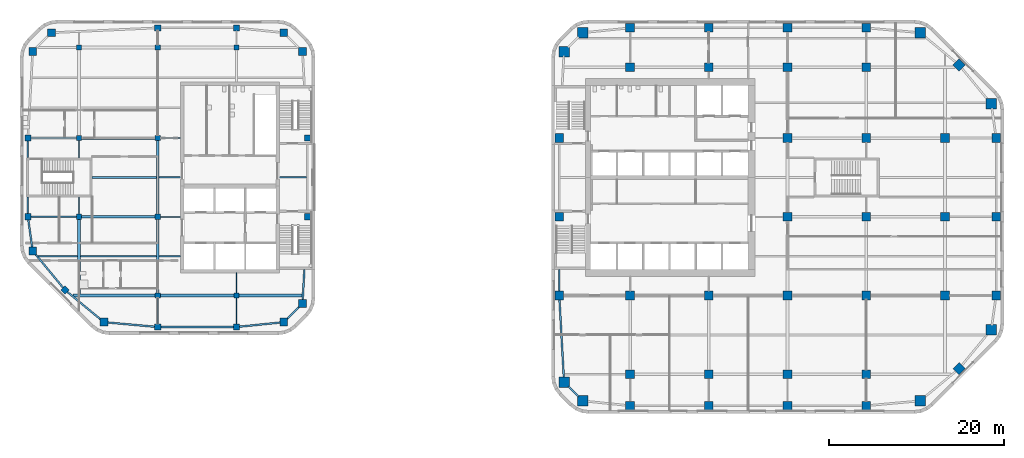
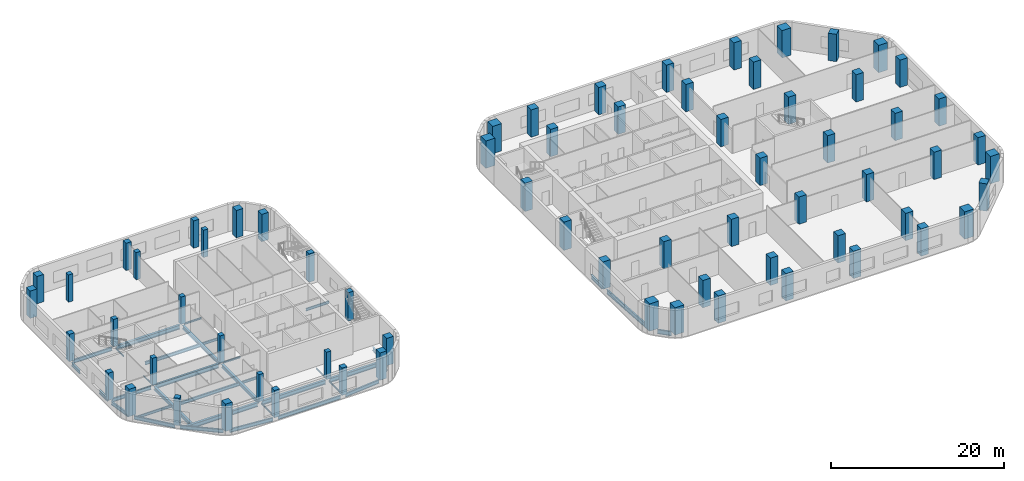
# One storey, part 1 of 14: 69 columns, 36 beams.
"""IFC4 building model written with IfcOpenShell, lengths in metres."""

from ifc_helpers import new_model, si_unit, direction, frame, origin, origin_2d, place, context, subcontext, project, spatial, rectangle, i_section, extrude, material, material_profile, profile_set, type_object, element, save


model = new_model("IFC4")

# Units and contexts
model_context = context("Model", 3, precision=1e-05, world=origin(), true_north=direction((0.0, 1.0)))
body_context = subcontext(model_context, "Body", "Model", "MODEL_VIEW")
ifc_project = project(units=[si_unit("LENGTHUNIT", "METRE"), si_unit("AREAUNIT", "SQUARE_METRE"), si_unit("VOLUMEUNIT", "CUBIC_METRE"), si_unit("PLANEANGLEUNIT", "RADIAN"), si_unit("MASSUNIT", "GRAM", prefix="KILO")], contexts=[model_context])

# Site, building, storey
site_placement = place(None, origin())
site = spatial("IfcSite", under=ifc_project, at=site_placement, CompositionType="ELEMENT")
building_placement = place(site_placement, origin())
building = spatial("IfcBuilding", under=site, at=building_placement, Name="Cinnabar Reach Civic Tower", CompositionType="ELEMENT")
storey_placement = place(building_placement, frame((0.0, 0.0, 128.0)))
storey = spatial("IfcBuildingStorey", under=building, at=storey_placement, Name="L30", CompositionType="ELEMENT", Elevation=128.0)

# Columns
ifc_material_1 = material(Name="Concrete C70", Category="concrete")
ifc_material_profile_1 = material_profile(ifc_material_1, rectangle(XDim=1.0, YDim=1.0, at=origin_2d()), Name="RC1000")
ifc_profile_set_1 = profile_set([ifc_material_profile_1], Name="Concrete C70")
column_type_1 = type_object("IfcColumnType", Name="RC1000 column R 240", PredefinedType="COLUMN", material=ifc_profile_set_1)
for number, where, z_axis, x_axis, name in (
    (1, (9.0, 5.4, 0.0), (0.0, 0.0, 1.0), (1.0, 0.0, 0.0), "Column T1-Z2-F0-1"),
    (2, (18.0, 5.4, 0.0), (0.0, 0.0, 1.0), (1.0, 0.0, 0.0), "Column T1-Z2-F0-2"),
    (3, (27.0, 5.4, 0.0), (0.0, 0.0, 1.0), (1.0, 0.0, 0.0), "Column T1-Z2-F0-3"),
    (4, (36.0, 5.4, 0.0), (0.0, 0.0, 1.0), (1.0, 0.0, 0.0), "Column T1-Z2-F0-4"),
    (5, (46.6136, 9.6364, 0.0), (0.0, 0.0, 1.0), (0.707106781187, 0.707106781187, 0.0), "Column T1-Z2-F1-M"),
    (6, (50.85, 18.0, 0.0), (0.0, 0.0, 1.0), (1.0, 0.0, 0.0), "Column T1-Z2-F2-2"),
    (7, (50.85, 27.0, 0.0), (0.0, 0.0, 1.0), (1.0, 0.0, 0.0), "Column T1-Z2-F2-3"),
    (8, (50.85, 36.0, 0.0), (0.0, 0.0, 1.0), (1.0, 0.0, 0.0), "Column T1-Z2-F2-4"),
    (9, (46.6136, 44.3636, 0.0), (0.0, 0.0, 1.0), (0.707106781187, 0.707106781187, 0.0), "Column T1-Z2-F3-M"),
    (10, (9.0, 48.6, 0.0), (0.0, 0.0, 1.0), (1.0, 0.0, 0.0), "Column T1-Z2-F4-1"),
    (11, (18.0, 48.6, 0.0), (0.0, 0.0, 1.0), (1.0, 0.0, 0.0), "Column T1-Z2-F4-2"),
    (12, (27.0, 48.6, 0.0), (0.0, 0.0, 1.0), (1.0, 0.0, 0.0), "Column T1-Z2-F4-3"),
    (13, (36.0, 48.6, 0.0), (0.0, 0.0, 1.0), (1.0, 0.0, 0.0), "Column T1-Z2-F4-4"),
    (14, (0.9, 18.0, 0.0), (0.0, 0.0, 1.0), (1.0, 0.0, 0.0), "Column T1-Z2-F6-2"),
):
    element("IfcColumn", number, at=place(storey_placement, frame(where, z_axis=z_axis, x_axis=x_axis)), inside=storey, type_object=column_type_1, Name=name, PredefinedType="COLUMN", context=body_context, shape_type="SweptSolid", body=[
        extrude(rectangle(XDim=1.0, YDim=1.0, at=origin_2d()), origin(), (0.0, 0.0, 1.0), 3.85),
    ])
for number, where, z_axis, x_axis, name in (
    (15, (0.9, 27.0, 0.0), (0.0, 0.0, 1.0), (1.0, 0.0, 0.0), "Column T1-Z2-F6-3"),
    (16, (0.9, 36.0, 0.0), (0.0, 0.0, 1.0), (1.0, 0.0, 0.0), "Column T1-Z2-F6-4"),
):
    element("IfcColumn", number, at=place(storey_placement, frame(where, z_axis=z_axis, x_axis=x_axis)), inside=storey, type_object=column_type_1, Name=name, PredefinedType="COLUMN", context=body_context, shape_type="SweptSolid", body=[
        extrude(rectangle(XDim=1.0, YDim=1.0, at=origin_2d()), origin(), (0.0, 0.0, 1.0), 4.0),
    ])
for number, where, z_axis, x_axis, name in (
    (17, (9.0, 9.0, 0.0), (0.0, 0.0, 1.0), (1.0, 0.0, 0.0), "Column T1-Z2-I9_9"),
    (18, (9.0, 18.0, 0.0), (0.0, 0.0, 1.0), (1.0, 0.0, 0.0), "Column T1-Z2-I9_18"),
    (19, (9.0, 44.1, 0.0), (0.0, 0.0, 1.0), (1.0, 0.0, 0.0), "Column T1-Z2-I9_45"),
    (20, (18.0, 9.0, 0.0), (0.0, 0.0, 1.0), (1.0, 0.0, 0.0), "Column T1-Z2-I18_9"),
    (21, (18.0, 18.0, 0.0), (0.0, 0.0, 1.0), (1.0, 0.0, 0.0), "Column T1-Z2-I18_18"),
    (22, (18.0, 44.1, 0.0), (0.0, 0.0, 1.0), (1.0, 0.0, 0.0), "Column T1-Z2-I18_45"),
    (23, (27.0, 9.0, 0.0), (0.0, 0.0, 1.0), (1.0, 0.0, 0.0), "Column T1-Z2-I27_9"),
    (24, (27.0, 18.0, 0.0), (0.0, 0.0, 1.0), (1.0, 0.0, 0.0), "Column T1-Z2-I27_18"),
    (25, (27.0, 27.0, 0.0), (0.0, 0.0, 1.0), (1.0, 0.0, 0.0), "Column T1-Z2-I27_27"),
    (26, (27.0, 36.0, 0.0), (0.0, 0.0, 1.0), (1.0, 0.0, 0.0), "Column T1-Z2-I27_36"),
    (27, (27.0, 44.1, 0.0), (0.0, 0.0, 1.0), (1.0, 0.0, 0.0), "Column T1-Z2-I27_45"),
    (28, (36.0, 9.0, 0.0), (0.0, 0.0, 1.0), (1.0, 0.0, 0.0), "Column T1-Z2-I36_9"),
    (29, (36.0, 18.0, 0.0), (0.0, 0.0, 1.0), (1.0, 0.0, 0.0), "Column T1-Z2-I36_18"),
    (30, (36.0, 27.0, 0.0), (0.0, 0.0, 1.0), (1.0, 0.0, 0.0), "Column T1-Z2-I36_27"),
    (31, (36.0, 36.0, 0.0), (0.0, 0.0, 1.0), (1.0, 0.0, 0.0), "Column T1-Z2-I36_36"),
    (32, (36.0, 44.1, 0.0), (0.0, 0.0, 1.0), (1.0, 0.0, 0.0), "Column T1-Z2-I36_45"),
    (33, (45.0, 18.0, 0.0), (0.0, 0.0, 1.0), (1.0, 0.0, 0.0), "Column T1-Z2-I45_18"),
    (34, (45.0, 27.0, 0.0), (0.0, 0.0, 1.0), (1.0, 0.0, 0.0), "Column T1-Z2-I45_27"),
    (35, (45.0, 36.0, 0.0), (0.0, 0.0, 1.0), (1.0, 0.0, 0.0), "Column T1-Z2-I45_36"),
):
    element("IfcColumn", number, at=place(storey_placement, frame(where, z_axis=z_axis, x_axis=x_axis)), inside=storey, type_object=column_type_1, Name=name, PredefinedType="COLUMN", context=body_context, shape_type="SweptSolid", body=[
        extrude(rectangle(XDim=1.0, YDim=1.0, at=origin_2d()), origin(), (0.0, 0.0, 1.0), 3.85),
    ])
ifc_material_2 = material(Name="Concrete C80", Category="concrete")
ifc_material_profile_2 = material_profile(ifc_material_2, rectangle(XDim=1.2, YDim=1.2, at=origin_2d()), Name="RC1200")
ifc_profile_set_2 = profile_set([ifc_material_profile_2], Name="Concrete C80")
column_type_2 = type_object("IfcColumnType", Name="RC1200 column R 240", PredefinedType="COLUMN", material=ifc_profile_set_2)
for number, where, z_axis, x_axis, name in (
    (36, (3.6019, 5.9531, 0.0), (0.0, 0.0, 1.0), (1.0, 0.0, 0.0), "Column T1-Z2-CC0"),
    (37, (42.1481, 5.9531, 0.0), (0.0, 0.0, 1.0), (1.0, 0.0, 0.0), "Column T1-Z2-CC1"),
    (38, (50.2969, 14.1019, 0.0), (0.0, 0.0, 1.0), (1.0, 0.0, 0.0), "Column T1-Z2-CC2"),
    (39, (50.2969, 39.8981, 0.0), (0.0, 0.0, 1.0), (1.0, 0.0, 0.0), "Column T1-Z2-CC3"),
    (40, (42.1481, 48.0469, 0.0), (0.0, 0.0, 1.0), (1.0, 0.0, 0.0), "Column T1-Z2-CC4"),
    (41, (3.6019, 48.0469, 0.0), (0.0, 0.0, 1.0), (1.0, 0.0, 0.0), "Column T1-Z2-CC5"),
    (42, (1.4531, 45.8981, 0.0), (0.0, 0.0, 1.0), (1.0, 0.0, 0.0), "Column T1-Z2-CC6"),
    (43, (1.4531, 8.1019, 0.0), (0.0, 0.0, 1.0), (1.0, 0.0, 0.0), "Column T1-Z2-CC7"),
):
    element("IfcColumn", number, at=place(storey_placement, frame(where, z_axis=z_axis, x_axis=x_axis)), inside=storey, type_object=column_type_2, Name=name, PredefinedType="COLUMN", context=body_context, shape_type="SweptSolid", body=[
        extrude(rectangle(XDim=1.2, YDim=1.2, at=origin_2d()), origin(), (0.0, 0.0, 1.0), 3.85),
    ])
ifc_material_3 = material(Name="Concrete C60", Category="concrete")
ifc_material_profile_3 = material_profile(ifc_material_3, rectangle(XDim=0.6, YDim=0.6, at=origin_2d()), Name="RC600")
ifc_profile_set_3 = profile_set([ifc_material_profile_3], Name="Concrete C60")
column_type_3 = type_object("IfcColumnType", Name="RC600 column R 180", PredefinedType="COLUMN", material=ifc_profile_set_3)
for number, where, z_axis, x_axis, name in (
    (44, (-54.0, 27.0, 0.0), (0.0, 0.0, 1.0), (1.0, 0.0, 0.0), "Column T2-Z3-I-54_27"),
    (45, (-54.0, 36.0, 0.0), (0.0, 0.0, 1.0), (1.0, 0.0, 0.0), "Column T2-Z3-I-54_36"),
    (46, (-54.0, 46.35, 0.0), (0.0, 0.0, 1.0), (1.0, 0.0, 0.0), "Column T2-Z3-I-54_45"),
    (47, (-45.0, 18.0, 0.0), (0.0, 0.0, 1.0), (1.0, 0.0, 0.0), "Column T2-Z3-I-45_18"),
    (48, (-45.0, 27.0, 0.0), (0.0, 0.0, 1.0), (1.0, 0.0, 0.0), "Column T2-Z3-I-45_27"),
    (49, (-45.0, 36.0, 0.0), (0.0, 0.0, 1.0), (1.0, 0.0, 0.0), "Column T2-Z3-I-45_36"),
    (50, (-45.0, 46.35, 0.0), (0.0, 0.0, 1.0), (1.0, 0.0, 0.0), "Column T2-Z3-I-45_45"),
    (51, (-36.0, 18.0, 0.0), (0.0, 0.0, 1.0), (1.0, 0.0, 0.0), "Column T2-Z3-I-36_18"),
    (52, (-36.0, 46.35, 0.0), (0.0, 0.0, 1.0), (1.0, 0.0, 0.0), "Column T2-Z3-I-36_45"),
):
    element("IfcColumn", number, at=place(storey_placement, frame(where, z_axis=z_axis, x_axis=x_axis)), inside=storey, type_object=column_type_3, Name=name, PredefinedType="COLUMN", context=body_context, shape_type="SweptSolid", body=[
        extrude(rectangle(XDim=0.6, YDim=0.6, at=origin_2d()), origin(), (0.0, 0.0, 1.0), 3.85),
    ])
ifc_material_profile_4 = material_profile(ifc_material_3, rectangle(XDim=0.7, YDim=0.7, at=origin_2d()), Name="RC700")
ifc_profile_set_4 = profile_set([ifc_material_profile_4], Name="Concrete C60")
column_type_4 = type_object("IfcColumnType", Name="RC700 column R 180", PredefinedType="COLUMN", material=ifc_profile_set_4)
for number, where, z_axis, x_axis, name in (
    (53, (-45.0, 14.4, 0.0), (0.0, 0.0, 1.0), (1.0, 0.0, 0.0), "Column T2-Z3-F0--5"),
    (54, (-36.0, 14.4, 0.0), (0.0, 0.0, 1.0), (1.0, 0.0, 0.0), "Column T2-Z3-F0--4"),
):
    element("IfcColumn", number, at=place(storey_placement, frame(where, z_axis=z_axis, x_axis=x_axis)), inside=storey, type_object=column_type_4, Name=name, PredefinedType="COLUMN", context=body_context, shape_type="SweptSolid", body=[
        extrude(rectangle(XDim=0.7, YDim=0.7, at=origin_2d()), origin(), (0.0, 0.0, 1.0), 3.85),
    ])
for number, where, z_axis, x_axis, name in (
    (55, (-27.9, 27.0, 0.0), (0.0, 0.0, 1.0), (1.0, 0.0, 0.0), "Column T2-Z3-F2-3"),
    (56, (-27.9, 36.0, 0.0), (0.0, 0.0, 1.0), (1.0, 0.0, 0.0), "Column T2-Z3-F2-4"),
):
    element("IfcColumn", number, at=place(storey_placement, frame(where, z_axis=z_axis, x_axis=x_axis)), inside=storey, type_object=column_type_4, Name=name, PredefinedType="COLUMN", context=body_context, shape_type="SweptSolid", body=[
        extrude(rectangle(XDim=0.7, YDim=0.7, at=origin_2d()), origin(), (0.0, 0.0, 1.0), 4.0),
    ])
for number, where, z_axis, x_axis, name in (
    (57, (-45.0, 48.6, 0.0), (0.0, 0.0, 1.0), (1.0, 0.0, 0.0), "Column T2-Z3-F4--5"),
    (58, (-36.0, 48.6, 0.0), (0.0, 0.0, 1.0), (1.0, 0.0, 0.0), "Column T2-Z3-F4--4"),
    (59, (-59.85, 27.0, 0.0), (0.0, 0.0, 1.0), (1.0, 0.0, 0.0), "Column T2-Z3-F6-3"),
    (60, (-59.85, 36.0, 0.0), (0.0, 0.0, 1.0), (1.0, 0.0, 0.0), "Column T2-Z3-F6-4"),
    (61, (-55.6136, 18.6364, 0.0), (0.0, 0.0, 1.0), (0.707106781187, 0.707106781187, 0.0), "Column T2-Z3-F7-M"),
):
    element("IfcColumn", number, at=place(storey_placement, frame(where, z_axis=z_axis, x_axis=x_axis)), inside=storey, type_object=column_type_4, Name=name, PredefinedType="COLUMN", context=body_context, shape_type="SweptSolid", body=[
        extrude(rectangle(XDim=0.7, YDim=0.7, at=origin_2d()), origin(), (0.0, 0.0, 1.0), 3.85),
    ])
ifc_material_profile_5 = material_profile(ifc_material_1, rectangle(XDim=0.9, YDim=0.9, at=origin_2d()), Name="RC900")
ifc_profile_set_5 = profile_set([ifc_material_profile_5], Name="Concrete C70")
column_type_5 = type_object("IfcColumnType", Name="RC900 column R 180", PredefinedType="COLUMN", material=ifc_profile_set_5)
for number, where, z_axis, x_axis, name in (
    (62, (-51.1481, 14.9531, 0.0), (0.0, 0.0, 1.0), (1.0, 0.0, 0.0), "Column T2-Z3-CC0"),
    (63, (-30.6019, 14.9531, 0.0), (0.0, 0.0, 1.0), (1.0, 0.0, 0.0), "Column T2-Z3-CC1"),
    (64, (-28.4531, 17.1019, 0.0), (0.0, 0.0, 1.0), (1.0, 0.0, 0.0), "Column T2-Z3-CC2"),
    (65, (-28.4531, 45.8981, 0.0), (0.0, 0.0, 1.0), (1.0, 0.0, 0.0), "Column T2-Z3-CC3"),
    (66, (-30.6019, 48.0469, 0.0), (0.0, 0.0, 1.0), (1.0, 0.0, 0.0), "Column T2-Z3-CC4"),
    (67, (-57.1481, 48.0469, 0.0), (0.0, 0.0, 1.0), (1.0, 0.0, 0.0), "Column T2-Z3-CC5"),
    (68, (-59.2969, 45.8981, 0.0), (0.0, 0.0, 1.0), (1.0, 0.0, 0.0), "Column T2-Z3-CC6"),
    (69, (-59.2969, 23.1019, 0.0), (0.0, 0.0, 1.0), (1.0, 0.0, 0.0), "Column T2-Z3-CC7"),
):
    element("IfcColumn", number, at=place(storey_placement, frame(where, z_axis=z_axis, x_axis=x_axis)), inside=storey, type_object=column_type_5, Name=name, PredefinedType="COLUMN", context=body_context, shape_type="SweptSolid", body=[
        extrude(rectangle(XDim=0.9, YDim=0.9, at=origin_2d()), origin(), (0.0, 0.0, 1.0), 3.85),
    ])

# Beams
ifc_material_4 = material(Name="Steel Q355B", Category="steel")
ifc_material_profile_6 = material_profile(ifc_material_4, i_section(OverallWidth=0.3, OverallDepth=0.488, WebThickness=0.011, FlangeThickness=0.018, FilletRadius=0.016, at=origin_2d()), Name="HM488x300x11x18")
ifc_profile_set_6 = profile_set([ifc_material_profile_6], Name="Steel Q355B")
beam_type_1 = type_object("IfcBeamType", Name="HM488x300x11x18 beam R 120", PredefinedType="BEAM", material=ifc_profile_set_6)
beam_1_placement = place(storey_placement, frame((-54.0, 18.152, -0.394), z_axis=(0.0, 1.0, 0.0), x_axis=(-1.0, 0.0, 0.0)))
element("IfcBeam", 70, at=beam_1_placement, inside=storey, type_object=beam_type_1, Name="Girder T2 L30 1", PredefinedType="BEAM", context=body_context, shape_type="SweptSolid", body=[
    extrude(i_section(OverallWidth=0.3, OverallDepth=0.488, WebThickness=0.011, FlangeThickness=0.018, FilletRadius=0.016, at=origin_2d()), origin(), (0.0, 0.0, 1.0), 8.546),
])
for number, where, z_axis, x_axis, name in (
    (71, (-45.0, 18.302, -0.394), (0.0, 1.0, 0.0), (-1.0, 0.0, 0.0), "Girder T2 L30 7"),
    (72, (-45.0, 27.302, -0.394), (0.0, 1.0, 0.0), (-1.0, 0.0, 0.0), "Girder T2 L30 8"),
):
    element("IfcBeam", number, at=place(storey_placement, frame(where, z_axis=z_axis, x_axis=x_axis)), inside=storey, type_object=beam_type_1, Name=name, PredefinedType="BEAM", context=body_context, shape_type="SweptSolid", body=[
        extrude(i_section(OverallWidth=0.3, OverallDepth=0.488, WebThickness=0.011, FlangeThickness=0.018, FilletRadius=0.016, at=origin_2d()), origin(), (0.0, 0.0, 1.0), 8.396),
    ])
ifc_material_profile_7 = material_profile(ifc_material_4, i_section(OverallWidth=0.3, OverallDepth=0.588, WebThickness=0.012, FlangeThickness=0.02, FilletRadius=0.016, at=origin_2d()), Name="HM588x300x12x20")
ifc_profile_set_7 = profile_set([ifc_material_profile_7], Name="Steel Q355B")
beam_type_2 = type_object("IfcBeamType", Name="HM588x300x12x20 beam R 120", PredefinedType="BEAM", material=ifc_profile_set_7)
beam_2_placement = place(storey_placement, frame((-54.6818, 18.0, -0.444), z_axis=(1.0, 0.0, 0.0), x_axis=(0.0, 1.0, 0.0)))
element("IfcBeam", 73, at=beam_2_placement, inside=storey, type_object=beam_type_2, Name="Girder T2 L30 1", PredefinedType="BEAM", context=body_context, shape_type="SweptSolid", body=[
    extrude(i_section(OverallWidth=0.3, OverallDepth=0.588, WebThickness=0.012, FlangeThickness=0.02, FilletRadius=0.016, at=origin_2d()), origin(), (0.0, 0.0, 1.0), 9.3798),
])
beam_3_placement = place(storey_placement, frame((-44.698, 18.0, -0.444), z_axis=(1.0, 0.0, 0.0), x_axis=(0.0, 1.0, 0.0)))
element("IfcBeam", 74, at=beam_3_placement, inside=storey, type_object=beam_type_2, Name="Girder T2 L30 2", PredefinedType="BEAM", context=body_context, shape_type="SweptSolid", body=[
    extrude(i_section(OverallWidth=0.3, OverallDepth=0.588, WebThickness=0.012, FlangeThickness=0.02, FilletRadius=0.016, at=origin_2d()), origin(), (0.0, 0.0, 1.0), 8.396),
])
beam_4_placement = place(storey_placement, frame((-35.698, 18.0, -0.444), z_axis=(1.0, 0.0, 0.0), x_axis=(0.0, 1.0, 0.0)))
element("IfcBeam", 75, at=beam_4_placement, inside=storey, type_object=beam_type_2, Name="Girder T2 L30 3", PredefinedType="BEAM", context=body_context, shape_type="SweptSolid", body=[
    extrude(i_section(OverallWidth=0.3, OverallDepth=0.588, WebThickness=0.012, FlangeThickness=0.02, FilletRadius=0.016, at=origin_2d()), origin(), (0.0, 0.0, 1.0), 7.1929),
])
for number, where, z_axis, x_axis, name in (
    (76, (-53.698, 27.0, -0.444), (1.0, 0.0, 0.0), (0.0, 1.0, 0.0), "Girder T2 L30 5"),
    (77, (-53.698, 36.0, -0.444), (1.0, 0.0, 0.0), (0.0, 1.0, 0.0), "Girder T2 L30 8"),
):
    element("IfcBeam", number, at=place(storey_placement, frame(where, z_axis=z_axis, x_axis=x_axis)), inside=storey, type_object=beam_type_2, Name=name, PredefinedType="BEAM", context=body_context, shape_type="SweptSolid", body=[
        extrude(i_section(OverallWidth=0.3, OverallDepth=0.588, WebThickness=0.012, FlangeThickness=0.02, FilletRadius=0.016, at=origin_2d()), origin(), (0.0, 0.0, 1.0), 8.396),
    ])
ifc_material_profile_8 = material_profile(ifc_material_4, i_section(OverallWidth=0.099, OverallDepth=0.198, WebThickness=0.0045, FlangeThickness=0.007, FilletRadius=0.013, at=origin_2d()), Name="HN200x100x5.5x8")
ifc_profile_set_8 = profile_set([ifc_material_profile_8], Name="Steel Q355B")
beam_type_3 = type_object("IfcBeamType", Name="HN200x100x5.5x8 beam R 120", PredefinedType="BEAM", material=ifc_profile_set_8)
for number, where, z_axis, x_axis, name in (
    (78, (-54.0, 27.302, -0.249), (0.0, 1.0, 0.0), (-1.0, 0.0, 0.0), "Girder T2 L30 2"),
    (79, (-54.0, 33.752, -0.249), (0.0, 1.0, 0.0), (-1.0, 0.0, 0.0), "Girder T2 L30 3"),
):
    element("IfcBeam", number, at=place(storey_placement, frame(where, z_axis=z_axis, x_axis=x_axis)), inside=storey, type_object=beam_type_3, Name=name, PredefinedType="BEAM", context=body_context, shape_type="SweptSolid", body=[
        extrude(i_section(OverallWidth=0.099, OverallDepth=0.198, WebThickness=0.0045, FlangeThickness=0.007, FilletRadius=0.013, at=origin_2d()), origin(), (0.0, 0.0, 1.0), 1.946),
    ])
for number, where, z_axis, x_axis, name in (
    (80, (-45.0, 14.752, -0.249), (0.0, 1.0, 0.0), (-1.0, 0.0, 0.0), "Girder T2 L30 6"),
    (81, (-36.0, 14.752, -0.249), (0.0, 1.0, 0.0), (-1.0, 0.0, 0.0), "Girder T2 L30 11"),
):
    element("IfcBeam", number, at=place(storey_placement, frame(where, z_axis=z_axis, x_axis=x_axis)), inside=storey, type_object=beam_type_3, Name=name, PredefinedType="BEAM", context=body_context, shape_type="SweptSolid", body=[
        extrude(i_section(OverallWidth=0.099, OverallDepth=0.198, WebThickness=0.0045, FlangeThickness=0.007, FilletRadius=0.013, at=origin_2d()), origin(), (0.0, 0.0, 1.0), 2.946),
    ])
beam_5_placement = place(storey_placement, frame((-36.0, 18.302, -0.249), z_axis=(0.0, 1.0, 0.0), x_axis=(-1.0, 0.0, 0.0)))
element("IfcBeam", 82, at=beam_5_placement, inside=storey, type_object=beam_type_3, Name="Girder T2 L30 12", PredefinedType="BEAM", context=body_context, shape_type="SweptSolid", body=[
    extrude(i_section(OverallWidth=0.099, OverallDepth=0.198, WebThickness=0.0045, FlangeThickness=0.007, FilletRadius=0.013, at=origin_2d()), origin(), (0.0, 0.0, 1.0), 2.296),
])
ifc_material_profile_9 = material_profile(ifc_material_4, i_section(OverallWidth=0.124, OverallDepth=0.248, WebThickness=0.005, FlangeThickness=0.008, FilletRadius=0.013, at=origin_2d()), Name="HN250x125x6x9")
ifc_profile_set_9 = profile_set([ifc_material_profile_9], Name="Steel Q355B")
beam_type_4 = type_object("IfcBeamType", Name="HN250x125x6x9 beam R 120", PredefinedType="BEAM", material=ifc_profile_set_9)
for number, where, z_axis, x_axis, name in (
    (83, (-44.698, 27.0, -0.274), (1.0, 0.0, 0.0), (0.0, 1.0, 0.0), "Girder T2 L30 6"),
    (84, (-44.698, 36.0, -0.274), (1.0, 0.0, 0.0), (0.0, 1.0, 0.0), "Girder T2 L30 9"),
):
    element("IfcBeam", number, at=place(storey_placement, frame(where, z_axis=z_axis, x_axis=x_axis)), inside=storey, type_object=beam_type_4, Name=name, PredefinedType="BEAM", context=body_context, shape_type="SweptSolid", body=[
        extrude(i_section(OverallWidth=0.124, OverallDepth=0.248, WebThickness=0.005, FlangeThickness=0.008, FilletRadius=0.013, at=origin_2d()), origin(), (0.0, 0.0, 1.0), 2.296),
    ])
ifc_material_profile_10 = material_profile(ifc_material_4, i_section(OverallWidth=0.175, OverallDepth=0.35, WebThickness=0.007, FlangeThickness=0.011, FilletRadius=0.013, at=origin_2d()), Name="HN350x175x7x11")
ifc_profile_set_10 = profile_set([ifc_material_profile_10], Name="Steel Q355B")
beam_type_5 = type_object("IfcBeamType", Name="HN350x175x7x11 beam R 120", PredefinedType="BEAM", material=ifc_profile_set_10)
beam_6_placement = place(storey_placement, frame((-58.6682, 22.5, -0.325), z_axis=(1.0, 0.0, 0.0), x_axis=(0.0, 1.0, 0.0)))
element("IfcBeam", 85, at=beam_6_placement, inside=storey, type_object=beam_type_5, Name="Secondary beam T2 L30 1", PredefinedType="BEAM", context=body_context, shape_type="SweptSolid", body=[
    extrude(i_section(OverallWidth=0.175, OverallDepth=0.35, WebThickness=0.007, FlangeThickness=0.011, FilletRadius=0.013, at=origin_2d()), origin(), (0.0, 0.0, 1.0), 4.5162),
])
for number, where, z_axis, x_axis, name in (
    (86, (-44.848, 22.5, -0.325), (1.0, 0.0, 0.0), (0.0, 1.0, 0.0), "Secondary beam T2 L30 3"),
    (87, (-44.848, 31.5, -0.325), (1.0, 0.0, 0.0), (0.0, 1.0, 0.0), "Secondary beam T2 L30 5"),
):
    element("IfcBeam", number, at=place(storey_placement, frame(where, z_axis=z_axis, x_axis=x_axis)), inside=storey, type_object=beam_type_5, Name=name, PredefinedType="BEAM", context=body_context, shape_type="SweptSolid", body=[
        extrude(i_section(OverallWidth=0.175, OverallDepth=0.35, WebThickness=0.007, FlangeThickness=0.011, FilletRadius=0.013, at=origin_2d()), origin(), (0.0, 0.0, 1.0), 2.446),
    ])
beam_7_placement = place(storey_placement, frame((-31.098, 31.5, -0.325), z_axis=(1.0, 0.0, 0.0), x_axis=(0.0, 1.0, 0.0)))
element("IfcBeam", 88, at=beam_7_placement, inside=storey, type_object=beam_type_5, Name="Secondary beam T2 L30 6", PredefinedType="BEAM", context=body_context, shape_type="SweptSolid", body=[
    extrude(i_section(OverallWidth=0.175, OverallDepth=0.35, WebThickness=0.007, FlangeThickness=0.011, FilletRadius=0.013, at=origin_2d()), origin(), (0.0, 0.0, 1.0), 3.096),
])
ifc_material_profile_11 = material_profile(ifc_material_4, i_section(OverallWidth=0.2, OverallDepth=0.45, WebThickness=0.009, FlangeThickness=0.014, FilletRadius=0.016, at=origin_2d()), Name="HN450x200x9x14")
ifc_profile_set_11 = profile_set([ifc_material_profile_11], Name="Steel Q355B")
beam_type_6 = type_object("IfcBeamType", Name="HN450x200x9x14 beam R 120", PredefinedType="BEAM", material=ifc_profile_set_11)
beam_8_placement = place(storey_placement, frame((-53.848, 22.5, -0.375), z_axis=(1.0, 0.0, 0.0), x_axis=(0.0, 1.0, 0.0)))
element("IfcBeam", 89, at=beam_8_placement, inside=storey, type_object=beam_type_6, Name="Secondary beam T2 L30 2", PredefinedType="BEAM", context=body_context, shape_type="SweptSolid", body=[
    extrude(i_section(OverallWidth=0.2, OverallDepth=0.45, WebThickness=0.009, FlangeThickness=0.014, FilletRadius=0.016, at=origin_2d()), origin(), (0.0, 0.0, 1.0), 8.696),
])
beam_9_placement = place(storey_placement, frame((-52.498, 31.5, -0.375), z_axis=(1.0, 0.0, 0.0), x_axis=(0.0, 1.0, 0.0)))
element("IfcBeam", 90, at=beam_9_placement, inside=storey, type_object=beam_type_6, Name="Secondary beam T2 L30 4", PredefinedType="BEAM", context=body_context, shape_type="SweptSolid", body=[
    extrude(i_section(OverallWidth=0.2, OverallDepth=0.45, WebThickness=0.009, FlangeThickness=0.014, FilletRadius=0.016, at=origin_2d()), origin(), (0.0, 0.0, 1.0), 7.346),
])
ifc_material_profile_12 = material_profile(ifc_material_4, i_section(OverallWidth=0.2, OverallDepth=0.5, WebThickness=0.01, FlangeThickness=0.016, FilletRadius=0.016, at=origin_2d()), Name="HN500x200x10x16")
ifc_profile_set_12 = profile_set([ifc_material_profile_12], Name="Steel Q355B")
beam_type_7 = type_object("IfcBeamType", Name="HN500x200x10x16 beam R 120", PredefinedType="BEAM", material=ifc_profile_set_12)
beam_10_placement = place(storey_placement, frame((-50.8161, 14.9232, -0.4), z_axis=(0.99597881512, -0.089589060894, 0.0), x_axis=(0.089589060894, 0.99597881512, 0.0)))
element("IfcBeam", 91, at=beam_10_placement, inside=storey, type_object=beam_type_7, Name="Edge beam T2 L30 1", PredefinedType="BEAM", context=body_context, shape_type="SweptSolid", body=[
    extrude(i_section(OverallWidth=0.2, OverallDepth=0.5, WebThickness=0.01, FlangeThickness=0.016, FilletRadius=0.016, at=origin_2d()), origin(), (0.0, 0.0, 1.0), 5.4862),
])
beam_11_placement = place(storey_placement, frame((-44.648, 14.4, -0.4), z_axis=(1.0, 0.0, 0.0), x_axis=(0.0, 1.0, 0.0)))
element("IfcBeam", 92, at=beam_11_placement, inside=storey, type_object=beam_type_7, Name="Edge beam T2 L30 2", PredefinedType="BEAM", context=body_context, shape_type="SweptSolid", body=[
    extrude(i_section(OverallWidth=0.2, OverallDepth=0.5, WebThickness=0.01, FlangeThickness=0.016, FilletRadius=0.016, at=origin_2d()), origin(), (0.0, 0.0, 1.0), 8.296),
])
beam_12_placement = place(storey_placement, frame((-35.648, 14.4361, -0.4), z_axis=(0.994792087401, 0.101924986363, 0.0), x_axis=(-0.101924986363, 0.994792087401, 0.0)))
element("IfcBeam", 93, at=beam_12_placement, inside=storey, type_object=beam_type_7, Name="Edge beam T2 L30 3", PredefinedType="BEAM", context=body_context, shape_type="SweptSolid", body=[
    extrude(i_section(OverallWidth=0.2, OverallDepth=0.5, WebThickness=0.01, FlangeThickness=0.016, FilletRadius=0.016, at=origin_2d()), origin(), (0.0, 0.0, 1.0), 4.7388),
])
beam_13_placement = place(storey_placement, frame((-30.2699, 15.2851, -0.4), z_axis=(0.707106781187, 0.707106781187, 0.0), x_axis=(-0.707106781187, 0.707106781187, 0.0)))
element("IfcBeam", 94, at=beam_13_placement, inside=storey, type_object=beam_type_7, Name="Edge beam T2 L30 4", PredefinedType="BEAM", context=body_context, shape_type="SweptSolid", body=[
    extrude(i_section(OverallWidth=0.2, OverallDepth=0.5, WebThickness=0.01, FlangeThickness=0.016, FilletRadius=0.016, at=origin_2d()), origin(), (0.0, 0.0, 1.0), 2.0998),
])
beam_14_placement = place(storey_placement, frame((-28.4345, 17.4339, -0.4), z_axis=(0.055775670196, 0.99844332569, 0.0), x_axis=(-0.99844332569, 0.055775670196, 0.0)))
element("IfcBeam", 95, at=beam_14_placement, inside=storey, type_object=beam_type_7, Name="Edge beam T2 L30 5", PredefinedType="BEAM", context=body_context, shape_type="SweptSolid", body=[
    extrude(i_section(OverallWidth=0.2, OverallDepth=0.5, WebThickness=0.01, FlangeThickness=0.016, FilletRadius=0.016, at=origin_2d()), origin(), (0.0, 0.0, 1.0), 3.5697),
])
for number, where, z_axis, x_axis, name in (
    (96, (-59.85, 35.648, -0.4), (0.0, -1.0, 0.0), (1.0, 0.0, 0.0), "Edge beam T2 L30 14"),
    (97, (-59.85, 29.248, -0.4), (0.0, -1.0, 0.0), (1.0, 0.0, 0.0), "Edge beam T2 L30 15"),
):
    element("IfcBeam", number, at=place(storey_placement, frame(where, z_axis=z_axis, x_axis=x_axis)), inside=storey, type_object=beam_type_7, Name=name, PredefinedType="BEAM", context=body_context, shape_type="SweptSolid", body=[
        extrude(i_section(OverallWidth=0.2, OverallDepth=0.5, WebThickness=0.01, FlangeThickness=0.016, FilletRadius=0.016, at=origin_2d()), origin(), (0.0, 0.0, 1.0), 1.896),
    ])
beam_15_placement = place(storey_placement, frame((-59.8001, 26.648, -0.4), z_axis=(0.140498398047, -0.990080905859, 0.0), x_axis=(0.990080905859, 0.140498398047, 0.0)))
element("IfcBeam", 98, at=beam_15_placement, inside=storey, type_object=beam_type_7, Name="Edge beam T2 L30 16", PredefinedType="BEAM", context=body_context, shape_type="SweptSolid", body=[
    extrude(i_section(OverallWidth=0.2, OverallDepth=0.5, WebThickness=0.01, FlangeThickness=0.016, FilletRadius=0.016, at=origin_2d()), origin(), (0.0, 0.0, 1.0), 3.2463),
])
for number, where, z_axis, x_axis, name in (
    (99, (-59.0231, 22.7699, -0.4), (0.636307764727, -0.771435304189, 0.0), (0.771435304189, 0.636307764727, 0.0), "Edge beam T2 L30 17"),
    (100, (-55.3873, 18.4497, -0.4), (0.771435304189, -0.636307764727, 0.0), (0.636307764727, 0.771435304189, 0.0), "Edge beam T2 L30 18"),
):
    element("IfcBeam", number, at=place(storey_placement, frame(where, z_axis=z_axis, x_axis=x_axis)), inside=storey, type_object=beam_type_7, Name=name, PredefinedType="BEAM", context=body_context, shape_type="SweptSolid", body=[
        extrude(i_section(OverallWidth=0.2, OverallDepth=0.5, WebThickness=0.01, FlangeThickness=0.016, FilletRadius=0.016, at=origin_2d()), origin(), (0.0, 0.0, 1.0), 5.0648),
    ])
for number, where, z_axis, x_axis, name in (
    (101, (-59.498, 27.0, -0.4), (1.0, 0.0, 0.0), (0.0, 1.0, 0.0), "Girder T2 L30 4"),
    (102, (-59.498, 36.0, -0.4), (1.0, 0.0, 0.0), (0.0, 1.0, 0.0), "Girder T2 L30 7"),
):
    element("IfcBeam", number, at=place(storey_placement, frame(where, z_axis=z_axis, x_axis=x_axis)), inside=storey, type_object=beam_type_7, Name=name, PredefinedType="BEAM", context=body_context, shape_type="SweptSolid", body=[
        extrude(i_section(OverallWidth=0.2, OverallDepth=0.5, WebThickness=0.01, FlangeThickness=0.016, FilletRadius=0.016, at=origin_2d()), origin(), (0.0, 0.0, 1.0), 5.196),
    ])
ifc_material_profile_13 = material_profile(ifc_material_4, i_section(OverallWidth=0.2, OverallDepth=0.6, WebThickness=0.011, FlangeThickness=0.017, FilletRadius=0.016, at=origin_2d()), Name="HN600x200x11x17")
ifc_profile_set_13 = profile_set([ifc_material_profile_13], Name="Steel Q355B")
beam_type_8 = type_object("IfcBeamType", Name="HN600x200x11x17 beam R 180", PredefinedType="BEAM", material=ifc_profile_set_13)
beam_16_placement = place(storey_placement, frame((0.9, 20.998, -0.45), z_axis=(0.0, -1.0, 0.0), x_axis=(1.0, 0.0, 0.0)))
element("IfcBeam", 103, at=beam_16_placement, inside=storey, type_object=beam_type_8, Name="Edge beam T1 L30 22", PredefinedType="BEAM", context=body_context, shape_type="SweptSolid", body=[
    extrude(i_section(OverallWidth=0.2, OverallDepth=0.6, WebThickness=0.011, FlangeThickness=0.017, FilletRadius=0.016, at=origin_2d()), origin(), (0.0, 0.0, 1.0), 2.496),
])
beam_17_placement = place(storey_placement, frame((0.9281, 17.498, -0.45), z_axis=(0.055790736166, -0.998442483951, 0.0), x_axis=(0.998442483951, 0.055790736166, 0.0)))
element("IfcBeam", 104, at=beam_17_placement, inside=storey, type_object=beam_type_8, Name="Edge beam T1 L30 23", PredefinedType="BEAM", context=body_context, shape_type="SweptSolid", body=[
    extrude(i_section(OverallWidth=0.2, OverallDepth=0.6, WebThickness=0.011, FlangeThickness=0.017, FilletRadius=0.016, at=origin_2d()), origin(), (0.0, 0.0, 1.0), 8.928),
])
beam_18_placement = place(storey_placement, frame((1.9351, 7.6199, -0.45), z_axis=(0.707106781187, -0.707106781187, 0.0), x_axis=(0.707106781187, 0.707106781187, 0.0)))
element("IfcBeam", 105, at=beam_18_placement, inside=storey, type_object=beam_type_8, Name="Edge beam T1 L30 24", PredefinedType="BEAM", context=body_context, shape_type="SweptSolid", body=[
    extrude(i_section(OverallWidth=0.2, OverallDepth=0.6, WebThickness=0.011, FlangeThickness=0.017, FilletRadius=0.016, at=origin_2d()), origin(), (0.0, 0.0, 1.0), 1.6756),
])

save(model, "model.ifc")
